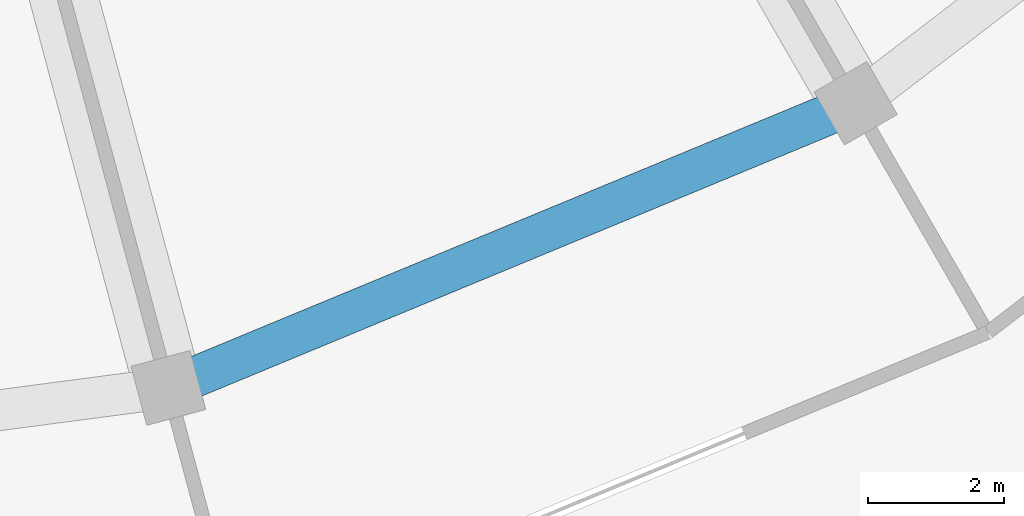
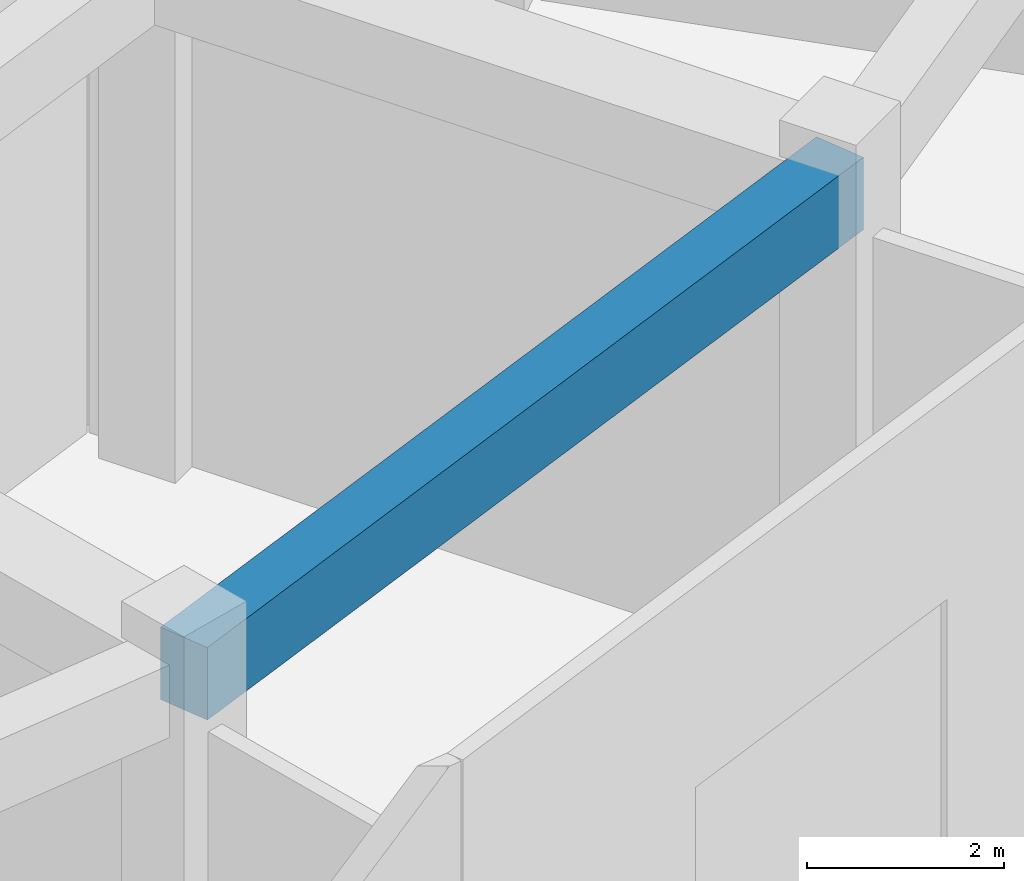
# One storey, part 3 of 31: 1 beam.
"""IFC4 building model written with IfcOpenShell, lengths in metres."""

from ifc_helpers import new_model, si_unit, direction, frame, origin, origin_2d, place, context, subcontext, project, spatial, rectangle, extrude, material, material_profile, profile_set, type_object, element, save


model = new_model("IFC4")

# Units and contexts
model_context = context("Model", 3, precision=1e-05, world=origin(), true_north=direction((0.0, 1.0)))
body_context = subcontext(model_context, "Body", "Model", "MODEL_VIEW")
ifc_project = project(units=[si_unit("LENGTHUNIT", "METRE"), si_unit("AREAUNIT", "SQUARE_METRE"), si_unit("VOLUMEUNIT", "CUBIC_METRE"), si_unit("PLANEANGLEUNIT", "RADIAN"), si_unit("MASSUNIT", "GRAM", prefix="KILO")], contexts=[model_context])

# Site, building, storey
site_placement = place(None, origin())
site = spatial("IfcSite", under=ifc_project, at=site_placement, CompositionType="ELEMENT")
building_placement = place(site_placement, origin())
building = spatial("IfcBuilding", under=site, at=building_placement, Name="Torre Brocal", CompositionType="ELEMENT")
storey_placement = place(building_placement, origin())
storey = spatial("IfcBuildingStorey", under=building, at=storey_placement, Name="L00", CompositionType="ELEMENT", Elevation=0.0)

# Beam
ifc_material = material(Name="Concrete C50", Category="concrete")
ifc_material_profile = material_profile(ifc_material, rectangle(XDim=0.60009765625, YDim=0.89990234375, at=origin_2d()), Name="RC 600X900")
ifc_profile_set = profile_set([ifc_material_profile], Name="Concrete C50")
beam_type = type_object("IfcBeamType", Name="RC BEAM 600X900 C50 TOP 6550", PredefinedType="BEAM", material=ifc_profile_set)
beam_placement = place(storey_placement, frame((90.870361328125, 34.43115234375, 6.10009765625), z_axis=(0.923880594648, 0.382680868131, 0.0), x_axis=(-0.382680868131, 0.923880594648, 0.0)))
element("IfcBeam", 1, at=beam_placement, inside=storey, type_object=beam_type, Name="Beam BT-07", PredefinedType="BEAM", context=body_context, shape_type="SweptSolid", body=[
    extrude(rectangle(XDim=0.60009765625, YDim=0.89990234375, at=origin_2d()), origin(), (0.0, 0.0, 1.0), 10.964111328125),
])

save(model, "model.ifc")
